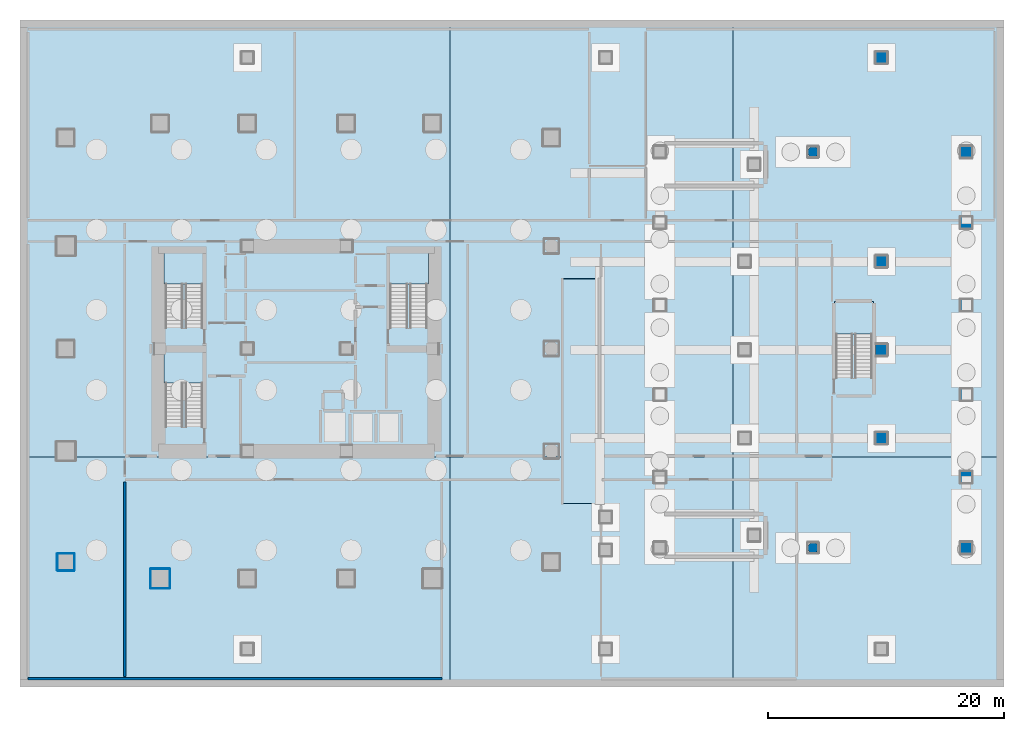
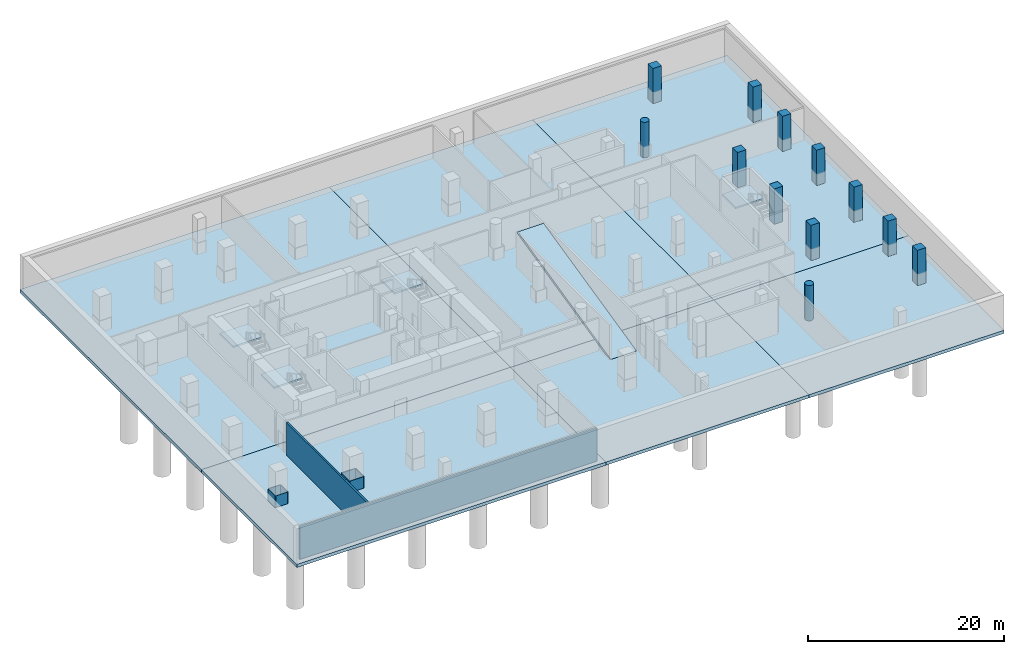
# One storey, part 2 of 13: 12 columns, 11 slabs, 10 walls, 4 elements without a shape of their own.
"""IFC4 building model written with IfcOpenShell, lengths in metres."""

from ifc_helpers import new_model, si_unit, direction, frame, frame_2d, origin, origin_with_axes, origin_2d, place, context, subcontext, project, spatial, polyline, rectangle, circle, outline, extrude, clip, halfspace, material, layer, layer_set, material_profile, profile_set, type_object, element, aggregate, save


model = new_model("IFC4")

# Units and contexts
model_context = context("Model", 3, precision=1e-05, world=origin(), true_north=direction((0.0, 1.0)))
body_context = subcontext(model_context, "Body", "Model", "MODEL_VIEW")
ifc_project = project(units=[si_unit("LENGTHUNIT", "METRE"), si_unit("AREAUNIT", "SQUARE_METRE"), si_unit("VOLUMEUNIT", "CUBIC_METRE"), si_unit("PLANEANGLEUNIT", "RADIAN"), si_unit("MASSUNIT", "GRAM", prefix="KILO")], contexts=[model_context])

# Site, building, storey
site_placement = place(None, origin())
site = spatial("IfcSite", under=ifc_project, at=site_placement, CompositionType="ELEMENT")
building_placement = place(site_placement, origin())
building = spatial("IfcBuilding", under=site, at=building_placement, Name="Solanera Arch Residences", CompositionType="ELEMENT")
storey_placement = place(building_placement, frame((0.0, 0.0, -13.199951171875)))
storey = spatial("IfcBuildingStorey", under=building, at=storey_placement, Name="B03", CompositionType="ELEMENT", Elevation=-13.199951171875)

# Columns
ifc_material_1 = material(Name="Concrete C55/67 (f'c = 60 MPa)", Category="concrete")
ifc_material_profile_1 = material_profile(ifc_material_1, rectangle(XDim=1.0, YDim=1.0, at=origin_2d()))
ifc_profile_set_1 = profile_set([ifc_material_profile_1], Name="Concrete C55/67 (f'c = 60 MPa)")
column_type_1 = type_object("IfcColumnType", Name="Structural Column RC-COL-1000X1000", PredefinedType="COLUMN", material=ifc_profile_set_1)
for number, where, z_axis, x_axis, name in (
    (1, (74.60009765625, 23.10009765625, -0.400146484375), (0.0, 0.0, 1.0), (1.0, 0.0, 0.0), "COL-B03-PAD-02"),
    (2, (74.60009765625, 30.60009765625, -0.400146484375), (0.0, 0.0, 1.0), (1.0, 0.0, 0.0), "COL-B03-PAD-04"),
    (3, (74.60009765625, 38.10009765625, -0.400146484375), (0.0, 0.0, 1.0), (1.0, 0.0, 0.0), "COL-B03-PAD-06"),
    (4, (74.60009765625, 55.39990234375, -0.400146484375), (0.0, 0.0, 1.0), (1.0, 0.0, 0.0), "COL-B03-PAD-14"),
    (5, (81.800048828125, 13.800048828125, -0.400146484375), (0.0, 0.0, 1.0), (1.0, 0.0, 0.0), "COL-B03-HALL-07"),
    (6, (81.800048828125, 19.800048828125, -0.400146484375), (0.0, 0.0, 1.0), (1.0, 0.0, 0.0), "COL-B03-HALL-08"),
    (7, (81.800048828125, 26.800048828125, -0.400146484375), (0.0, 0.0, 1.0), (1.0, 0.0, 0.0), "COL-B03-HALL-09"),
    (8, (81.800048828125, 34.39990234375, -0.400146484375), (0.0, 0.0, 1.0), (1.0, 0.0, 0.0), "COL-B03-HALL-10"),
    (9, (81.800048828125, 41.39990234375, -0.400146484375), (0.0, 0.0, 1.0), (1.0, 0.0, 0.0), "COL-B03-HALL-11"),
    (10, (81.800048828125, 47.39990234375, -0.400146484375), (0.0, 0.0, 1.0), (1.0, 0.0, 0.0), "COL-B03-HALL-12"),
):
    element("IfcColumn", number, at=place(storey_placement, frame(where, z_axis=z_axis, x_axis=x_axis)), inside=storey, type_object=column_type_1, Name=name, PredefinedType="COLUMN", context=body_context, shape_type="SweptSolid", body=[
        extrude(rectangle(XDim=1.0, YDim=1.0, at=origin_2d()), origin(), (0.0, 0.0, 1.0), 4.800048828125),
    ])
ifc_material_2 = material(Name="Concrete C40/50 (f'c = 45 MPa)", Category="concrete")
ifc_material_profile_2 = material_profile(ifc_material_2, circle(Radius=0.449951171875, at=origin_2d()))
ifc_profile_set_2 = profile_set([ifc_material_profile_2], Name="Concrete C40/50 (f'c = 45 MPa)")
column_type_2 = type_object("IfcColumnType", Name="Structural Column RC-COL-D900", PredefinedType="COLUMN", material=ifc_profile_set_2)
for number, where, z_axis, x_axis, name in (
    (11, (68.800048828125, 13.800048828125, -0.400146484375), (0.0, 0.0, 1.0), (1.0, 0.0, 0.0), "COL-B03-HALL-13"),
    (12, (68.800048828125, 47.39990234375, -0.400146484375), (0.0, 0.0, 1.0), (1.0, 0.0, 0.0), "COL-B03-HALL-14"),
):
    element("IfcColumn", number, at=place(storey_placement, frame(where, z_axis=z_axis, x_axis=x_axis)), inside=storey, type_object=column_type_2, Name=name, PredefinedType="COLUMN", context=body_context, shape_type="SweptSolid", body=[
        extrude(circle(Radius=0.449951171875, at=origin_2d()), origin(), (0.0, 0.0, 1.0), 4.800048828125),
    ])

# Slabs
ifc_material_3 = material(Name="Concrete C55/67 (f'c = 60 MPa)", Category="concrete")
ifc_layer_1 = layer(ifc_material_3, 0.39990234375)
ifc_layer_set_1 = layer_set([ifc_layer_1], Name="Concrete C55/67 (f'c = 60 MPa)")
slab_type_1 = type_object("IfcSlabType", Name="Base Mat Slab 400", PredefinedType="BASESLAB", material=ifc_layer_set_1)
slab_1_placement = place(storey_placement, frame((0.0, 0.0, -0.400146484375)))
element("IfcSlab", 13, at=slab_1_placement, inside=storey, type_object=slab_type_1, Name="Basement B03 Structural Base Mat Pour 1", PredefinedType="BASESLAB", context=body_context, shape_type="SweptSolid", body=[
    extrude(outline(polyline([(1.5, 2.0), (38.0, 2.0), (38.0, 21.5), (1.5, 21.5), (1.5, 2.0)])), origin(), (0.0, 0.0, 1.0), 0.400146484375),
])
slab_2_placement = place(storey_placement, frame((0.0, 0.0, -0.400146484375)))
element("IfcSlab", 14, at=slab_2_placement, inside=storey, type_object=slab_type_1, Name="Basement B03 Structural Base Mat Pour 2", PredefinedType="BASESLAB", context=body_context, shape_type="SweptSolid", body=[
    extrude(outline(polyline([(1.5, 21.5), (38.0, 21.5), (38.0, 58.60009765625), (1.5, 58.60009765625), (1.5, 21.5)])), origin(), (0.0, 0.0, 1.0), 0.400146484375),
])
slab_3_placement = place(storey_placement, frame((0.0, 0.0, -0.400146484375)))
element("IfcSlab", 15, at=slab_3_placement, inside=storey, type_object=slab_type_1, Name="Basement B03 Structural Base Mat Pour 3", PredefinedType="BASESLAB", context=body_context, shape_type="SweptSolid", body=[
    extrude(outline(polyline([(38.0, 2.0), (62.0, 2.0), (62.0, 21.5), (38.0, 21.5), (38.0, 2.0)])), origin(), (0.0, 0.0, 1.0), 0.400146484375),
])
slab_4_placement = place(storey_placement, frame((0.0, 0.0, -0.400146484375)))
element("IfcSlab", 16, at=slab_4_placement, inside=storey, type_object=slab_type_1, Name="Basement B03 Structural Base Mat Pour 4", PredefinedType="BASESLAB", context=body_context, shape_type="SweptSolid", body=[
    extrude(outline(polyline([(38.0, 21.5), (62.0, 21.5), (62.0, 58.60009765625), (38.0, 58.60009765625), (38.0, 21.5)])), origin(), (0.0, 0.0, 1.0), 0.400146484375),
])
slab_5_placement = place(storey_placement, frame((0.0, 0.0, -0.400146484375)))
element("IfcSlab", 17, at=slab_5_placement, inside=storey, type_object=slab_type_1, Name="Basement B03 Structural Base Mat Pour 5", PredefinedType="BASESLAB", context=body_context, shape_type="SweptSolid", body=[
    extrude(outline(polyline([(62.0, 2.0), (85.0, 2.0), (85.0, 21.5), (62.0, 21.5), (62.0, 2.0)])), origin(), (0.0, 0.0, 1.0), 0.400146484375),
])
slab_6_placement = place(storey_placement, frame((0.0, 0.0, -0.400146484375)))
element("IfcSlab", 18, at=slab_6_placement, inside=storey, type_object=slab_type_1, Name="Basement B03 Structural Base Mat Pour 6", PredefinedType="BASESLAB", context=body_context, shape_type="SweptSolid", body=[
    extrude(outline(polyline([(62.0, 21.5), (85.0, 21.5), (85.0, 58.60009765625), (62.0, 58.60009765625), (62.0, 21.5)])), origin(), (0.0, 0.0, 1.0), 0.400146484375),
])
ifc_material_4 = material(Name="Concrete C40/50 (f'c = 45 MPa)", Category="concrete")
ifc_layer_2 = layer(ifc_material_4, 0.280029296875)
ifc_layer_set_2 = layer_set([ifc_layer_2], Name="Concrete C40/50 (f'c = 45 MPa)")
slab_type_2 = type_object("IfcSlabType", Name="Reinforced Concrete Vehicle Ramp Slab 280", PredefinedType="FLOOR", material=ifc_layer_set_2)
slab_7_placement = place(storey_placement, origin())
element("IfcSlab", 19, at=slab_7_placement, inside=storey, type_object=slab_type_2, Name="B03 to B02 Two-Way Vehicle Ramp Slab", PredefinedType="FLOOR", context=body_context, shape_type="Clipping", body=[
    clip(extrude(outline(polyline([(0.0, 0.0), (3.0400390625, 0.0), (3.0400390625, 19.52230221064279), (0.0, 19.52230221064279), (0.0, 0.0)])), frame((47.580078125, 17.590087890625, 0.0), z_axis=(0.0, -0.225378251821, 0.974271339826), x_axis=(1.0, 0.0, 0.0)), (0.0, 0.0, -1.0), 0.280029296875), halfspace(origin_with_axes(), True)),
])

# Stair, slab
ifc_material_5 = material(Name="Concrete C40/50 (f'c = 45 MPa)", Category="concrete")
stair_type_1 = type_object("IfcStairType", Name="Tower Dogleg Exit Stair 1480", PredefinedType="HALF_TURN_STAIR", material=ifc_material_5)
stair_1_placement = place(storey_placement, origin())
stair_1 = element("IfcStair", 20, at=stair_1_placement, inside=storey, type_object=stair_type_1, Name="B03 Tower Core Exit Stair 1", PredefinedType="HALF_TURN_STAIR")
ifc_material_6 = material(Name="Concrete C40/50 (f'c = 45 MPa)", Category="concrete")
ifc_layer_3 = layer(ifc_material_6, 0.199951171875)
ifc_layer_set_3 = layer_set([ifc_layer_3], Name="Concrete C40/50 (f'c = 45 MPa)")
slab_type_3 = type_object("IfcSlabType", Name="Stair Half-Landing Slab 200", PredefinedType="LANDING", material=ifc_layer_set_3)
slab_8_placement = place(storey_placement, frame((0.0, 0.0, 2.0)))
slab_8 = element("IfcSlab", 21, at=slab_8_placement, type_object=slab_type_3, Name="ST-T1 landing 1", PredefinedType="LANDING", context=body_context, shape_type="SweptSolid", body=[
    extrude(outline(polyline([(17.1201171875, 36.18994140625), (17.1201171875, 38.919921875), (13.719970703125, 38.919921875), (13.719970703125, 36.18994140625), (17.1201171875, 36.18994140625)])), origin(), (0.0, 0.0, 1.0), 0.199951171875),
])
aggregate(stair_1, [slab_8])

stair_2_placement = place(storey_placement, origin())
stair_2 = element("IfcStair", 22, at=stair_2_placement, inside=storey, type_object=stair_type_1, Name="B03 Tower Core Exit Stair 2", PredefinedType="HALF_TURN_STAIR")
slab_9_placement = place(storey_placement, frame((0.0, 0.0, 2.0)))
slab_9 = element("IfcSlab", 23, at=slab_9_placement, type_object=slab_type_3, Name="ST-T2 landing 1", PredefinedType="LANDING", context=body_context, shape_type="SweptSolid", body=[
    extrude(outline(polyline([(36.179931640625, 36.18994140625), (36.179931640625, 38.919921875), (32.780029296875, 38.919921875), (32.780029296875, 36.18994140625), (36.179931640625, 36.18994140625)])), origin(), (0.0, 0.0, 1.0), 0.199951171875),
])
aggregate(stair_2, [slab_9])

stair_3_placement = place(storey_placement, origin())
stair_3 = element("IfcStair", 24, at=stair_3_placement, inside=storey, type_object=stair_type_1, Name="B03 Tower Core Exit Stair 3", PredefinedType="HALF_TURN_STAIR")
slab_10_placement = place(storey_placement, frame((0.0, 0.0, 2.0)))
slab_10 = element("IfcSlab", 25, at=slab_10_placement, type_object=slab_type_3, Name="ST-T3 landing 1", PredefinedType="LANDING", context=body_context, shape_type="SweptSolid", body=[
    extrude(outline(polyline([(17.1201171875, 27.7900390625), (17.1201171875, 30.52001953125), (13.719970703125, 30.52001953125), (13.719970703125, 27.7900390625), (17.1201171875, 27.7900390625)])), origin(), (0.0, 0.0, 1.0), 0.199951171875),
])
aggregate(stair_3, [slab_10])

ifc_material_7 = material(Name="Concrete C40/50 (f'c = 45 MPa)", Category="concrete")
stair_type_2 = type_object("IfcStairType", Name="Basement Exit Stair 1440", PredefinedType="HALF_TURN_STAIR", material=ifc_material_7)
stair_4_placement = place(storey_placement, origin())
stair_4 = element("IfcStair", 26, at=stair_4_placement, inside=storey, type_object=stair_type_2, Name="B03 Basement Car Park Exit Stair", PredefinedType="HALF_TURN_STAIR")
slab_11_placement = place(storey_placement, frame((0.0, 0.0, 2.0)))
slab_11 = element("IfcSlab", 27, at=slab_11_placement, type_object=slab_type_3, Name="ST-B1 landing 1", PredefinedType="LANDING", context=body_context, shape_type="SweptSolid", body=[
    extrude(outline(polyline([(73.919921875, 31.949951171875), (73.919921875, 34.719970703125), (70.60009765625, 34.719970703125), (70.60009765625, 31.949951171875), (73.919921875, 31.949951171875)])), origin(), (0.0, 0.0, 1.0), 0.199951171875),
])
aggregate(stair_4, [slab_11])

# Walls
ifc_material_8 = material(Name="Fire-Rated Gypsum Stud Partition", Category="gypsum")
ifc_layer_4 = layer(ifc_material_8, 0.06005859375)
ifc_layer_set_4 = layer_set([ifc_layer_4], Name="Fire-Rated Gypsum Stud Partition")
wall_type_1 = type_object("IfcWallType", Name="Column Acoustic Furring Wall 60", PredefinedType="PARTITIONING", material=ifc_layer_set_4)
for number, where, z_axis, x_axis, name in (
    (28, (12.60009765625, 10.367919921875, 0.0), (0.0, 0.0, 1.0), (1.0, 0.0, 0.0), "B03 Column Furring 9S"),
    (29, (12.60009765625, 12.031982421875, 0.0), (0.0, 0.0, 1.0), (1.0, 0.0, 0.0), "B03 Column Furring 9N"),
):
    element("IfcWall", number, at=place(storey_placement, frame(where, z_axis=z_axis, x_axis=x_axis)), inside=storey, type_object=wall_type_1, Name=name, PredefinedType="PARTITIONING", context=body_context, shape_type="SweptSolid", body=[
        extrude(rectangle(XDim=1.599853515625, YDim=0.06005859375, at=frame_2d((0.7998046875, 0.0))), origin(), (0.0, 0.0, 1.0), 1.449951171875),
    ])
for number, where, z_axis, x_axis, name in (
    (30, (12.568115234375, 10.39990234375, 0.0), (0.0, 0.0, 1.0), (0.0, 1.0, 0.0), "B03 Column Furring 9W"),
    (31, (14.23193359375, 10.39990234375, 0.0), (0.0, 0.0, 1.0), (0.0, 1.0, 0.0), "B03 Column Furring 9E"),
):
    element("IfcWall", number, at=place(storey_placement, frame(where, z_axis=z_axis, x_axis=x_axis)), inside=storey, type_object=wall_type_1, Name=name, PredefinedType="PARTITIONING", context=body_context, shape_type="SweptSolid", body=[
        extrude(rectangle(XDim=1.60009765625, YDim=0.06005859375, at=frame_2d((0.800048828125, 0.0))), origin(), (0.0, 0.0, 1.0), 1.449951171875),
    ])
for number, where, z_axis, x_axis, name in (
    (32, (4.699951171875, 11.867919921875, 0.0), (0.0, 0.0, 1.0), (1.0, 0.0, 0.0), "B03 Column Furring 21S"),
    (33, (4.699951171875, 13.33203125, 0.0), (0.0, 0.0, 1.0), (1.0, 0.0, 0.0), "B03 Column Furring 21N"),
    (34, (4.66796875, 11.89990234375, 0.0), (0.0, 0.0, 1.0), (0.0, 1.0, 0.0), "B03 Column Furring 21W"),
    (35, (6.132080078125, 11.89990234375, 0.0), (0.0, 0.0, 1.0), (0.0, 1.0, 0.0), "B03 Column Furring 21E"),
):
    element("IfcWall", number, at=place(storey_placement, frame(where, z_axis=z_axis, x_axis=x_axis)), inside=storey, type_object=wall_type_1, Name=name, PredefinedType="PARTITIONING", context=body_context, shape_type="SweptSolid", body=[
        extrude(rectangle(XDim=1.400146484375, YDim=0.06005859375, at=frame_2d((0.7001953125, 0.0))), origin(), (0.0, 0.0, 1.0), 1.449951171875),
    ])
ifc_material_9 = material(Name="Autoclaved Aerated Concrete Blockwork", Category="masonry")
ifc_layer_5 = layer(ifc_material_9, 0.199951171875)
ifc_layer_set_5 = layer_set([ifc_layer_5], Name="Autoclaved Aerated Concrete Blockwork")
wall_type_2 = type_object("IfcWallType", Name="Party Wall Acoustic 200", PredefinedType="PARTITIONING", material=ifc_layer_set_5)
wall_1_placement = place(storey_placement, frame((2.199951171875, 2.699951171875, 0.0), z_axis=(0.0, 0.0, 1.0), x_axis=(1.0, 0.0, 0.0)))
element("IfcWall", 36, at=wall_1_placement, inside=storey, type_object=wall_type_2, Name="B03 Interior Partition H7", PredefinedType="PARTITIONING", context=body_context, shape_type="SweptSolid", body=[
    extrude(rectangle(XDim=35.10009765625, YDim=0.199951171875, at=frame_2d((17.550048828125, 0.0))), origin(), (0.0, 0.0, 1.0), 4.099853515625),
])
wall_2_placement = place(storey_placement, frame((10.39990234375, 2.907958984375, 0.0), z_axis=(0.0, 0.0, 1.0), x_axis=(0.0, 1.0, 0.0)))
element("IfcWall", 37, at=wall_2_placement, inside=storey, type_object=wall_type_2, Name="B03 Interior Partition V8 1", PredefinedType="PARTITIONING", context=body_context, shape_type="SweptSolid", body=[
    extrude(rectangle(XDim=16.484130859375, YDim=0.199951171875, at=frame_2d((8.2421875, 0.0))), origin(), (0.0, 0.0, 1.0), 4.099853515625),
])

save(model, "model.ifc")
